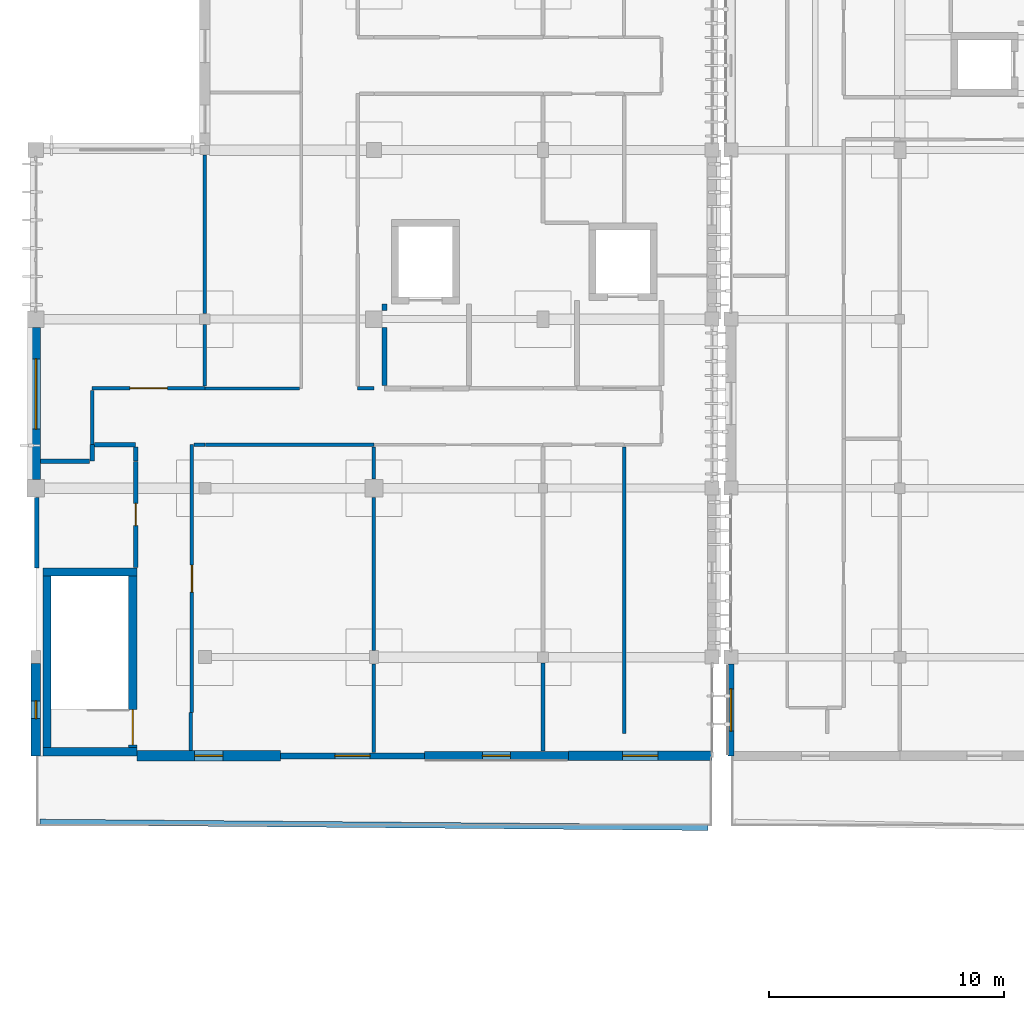
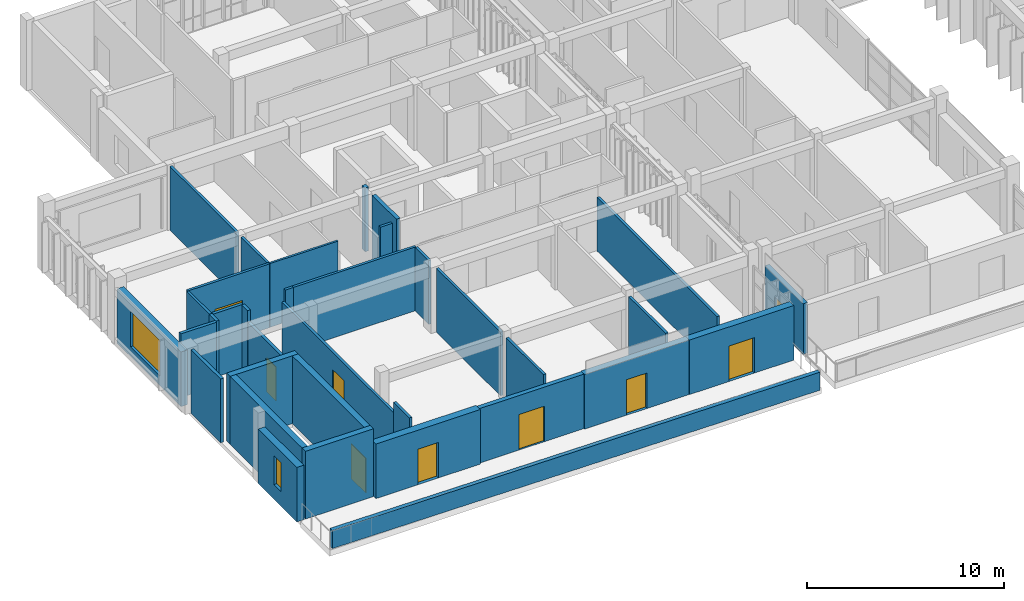
# One storey, part 32 of 55: 35 walls, 8 doors, 3 windows, 11 openings.
"""IFC4 building model written with IfcOpenShell, lengths in metres."""

from ifc_helpers import new_model, si_unit, direction, frame, frame_2d, origin, place, context, subcontext, project, spatial, rectangle, extrude, material, layer, layer_set, type_object, element, fill, save


model = new_model("IFC4")

# Units and contexts
model_context = context("Model", 3, precision=1e-05, world=origin(), true_north=direction((0.0, 1.0)))
body_context = subcontext(model_context, "Body", "Model", "MODEL_VIEW")
ifc_project = project(units=[si_unit("LENGTHUNIT", "METRE"), si_unit("AREAUNIT", "SQUARE_METRE"), si_unit("VOLUMEUNIT", "CUBIC_METRE"), si_unit("PLANEANGLEUNIT", "RADIAN"), si_unit("MASSUNIT", "GRAM", prefix="KILO")], contexts=[model_context])

# Site, building, storey
site_placement = place(None, origin())
site = spatial("IfcSite", under=ifc_project, at=site_placement, CompositionType="ELEMENT")
building_placement = place(site_placement, origin())
building = spatial("IfcBuilding", under=site, at=building_placement, Name="Steenspoor Specialist Clinic", CompositionType="ELEMENT")
storey_placement = place(building_placement, frame((0.0, 0.0, 13.199951171875)))
storey = spatial("IfcBuildingStorey", under=building, at=storey_placement, Name="L03", CompositionType="ELEMENT", Elevation=13.199951171875)

# Wall, opening, door
ifc_material_1 = material(Name="Extruded clay brick masonry", Category="masonry")
ifc_layer_1 = layer(ifc_material_1, 0.3798828125)
ifc_layer_set_1 = layer_set([ifc_layer_1], Name="Extruded clay brick masonry")
wall_type_1 = type_object("IfcWallType", Name="W-BRICK-380", PredefinedType="USERDEFINED", material=ifc_layer_set_1)
wall_1_placement = place(storey_placement, frame((45.47509765625, 68.14990234375, 0.0), z_axis=(0.0, 0.0, 1.0), x_axis=(-1.0, 0.0, 0.0)))
wall_1 = element("IfcWall", 1, at=wall_1_placement, inside=storey, type_object=wall_type_1, Name="Exterior Brick Wall EW-V5-L03-0279", ObjectType="CAVITY VENEER", PredefinedType="USERDEFINED", context=body_context, shape_type="SweptSolid", body=[
    extrude(rectangle(XDim=6.125, YDim=0.3798828125, at=frame_2d((3.0625, 0.0))), origin(), (0.0, 0.0, 1.0), 3.380126953125),
])
opening_1_placement = place(wall_1_placement, frame((2.46240234375, 0.0, 0.0)))
opening_1 = element("IfcOpeningElement", 2, at=opening_1_placement, cuts=wall_1, Name="Opening ED36", PredefinedType="OPENING", context=body_context, shape_type="SweptSolid", body=[
    extrude(rectangle(XDim=1.199951171875, YDim=2.199951171875, at=frame_2d((0.60009765625, 1.10009765625))), frame((0.0, 0.199951171875, 0.0), z_axis=(0.0, -1.0, 0.0), x_axis=(1.0, 0.0, 0.0)), (0.0, 0.0, 1.0), 0.39990234375),
])
ifc_material_2 = material(Name="Anodised aluminium and safety glass", Category="aluminium")
door_type_1 = type_object("IfcDoorType", Name="DT-TERR-120X220", OperationType="NOTDEFINED", PredefinedType="DOOR", material=ifc_material_2)
door_1_placement = place(opening_1_placement, origin())
door_1 = element("IfcDoor", 3, at=door_1_placement, inside=storey, type_object=door_type_1, Name="Roof Terrace Door ED36", OperationType="SINGLE_SWING_LEFT", OverallHeight=2.199951171875, OverallWidth=1.199951171875, PredefinedType="DOOR", context=body_context, shape_type="SweptSolid", body=[
    extrude(rectangle(XDim=1.199951171875, YDim=2.199951171875, at=frame_2d((0.60009765625, 1.10009765625))), frame((0.0, 0.02490234375, 0.0), z_axis=(0.0, -1.0, 0.0), x_axis=(1.0, 0.0, 0.0)), (0.0, 0.0, 1.0), 0.050048828125),
])
fill(opening_1, door_1)

# Wall, opening, window
wall_2_placement = place(storey_placement, frame((22.800048828125, 79.925048828125, 0.0), z_axis=(0.0, 0.0, 1.0), x_axis=(0.0, 1.0, 0.0)))
wall_2 = element("IfcWall", 4, at=wall_2_placement, inside=storey, type_object=wall_type_1, Name="Exterior Brick Wall EW-V5-L03-0283", ObjectType="CAVITY VENEER", PredefinedType="USERDEFINED", context=body_context, shape_type="SweptSolid", body=[
    extrude(rectangle(XDim=6.474853515625, YDim=0.3798828125, at=frame_2d((3.2373046875, 0.0))), origin(), (0.0, 0.0, 1.0), 3.380126953125),
])
opening_2_placement = place(wall_2_placement, frame((2.135009765625, 0.0, 0.60009765625)))
opening_2 = element("IfcOpeningElement", 5, at=opening_2_placement, cuts=wall_2, Name="Opening WN-19", PredefinedType="OPENING", context=body_context, shape_type="SweptSolid", body=[
    extrude(rectangle(XDim=3.0, YDim=2.199951171875, at=frame_2d((1.5, 1.10009765625))), frame((0.0, 0.199951171875, 0.0), z_axis=(0.0, -1.0, 0.0), x_axis=(1.0, 0.0, 0.0)), (0.0, 0.0, 1.0), 0.39990234375),
])
ifc_material_3 = material(Name="Thermally broken aluminium and low-emissivity glass", Category="aluminium")
window_type_1 = type_object("IfcWindowType", Name="WN-EXT-300X220", PartitioningType="SINGLE_PANEL", PredefinedType="WINDOW", material=ifc_material_3)
window_1_placement = place(opening_2_placement, origin())
window_1 = element("IfcWindow", 6, at=window_1_placement, inside=storey, type_object=window_type_1, Name="Window 0304", OverallHeight=2.199951171875, OverallWidth=3.0, PartitioningType="SINGLE_PANEL", PredefinedType="WINDOW", context=body_context, shape_type="SweptSolid", body=[
    extrude(rectangle(XDim=3.0, YDim=2.199951171875, at=frame_2d((1.5, 1.10009765625))), frame((0.0, 0.030029296875, 0.0), z_axis=(0.0, -1.0, 0.0), x_axis=(1.0, 0.0, 0.0)), (0.0, 0.0, 1.0), 0.06005859375),
])
fill(opening_2, window_1)

# Wall, opening, door
ifc_layer_2 = layer(ifc_material_1, 0.409912109375)
ifc_layer_set_2 = layer_set([ifc_layer_2], Name="Extruded clay brick masonry")
wall_type_2 = type_object("IfcWallType", Name="W-BRICK-410", PredefinedType="USERDEFINED", material=ifc_layer_set_2)
wall_3_placement = place(storey_placement, frame((51.60009765625, 68.14990234375, 0.0), z_axis=(0.0, 0.0, 1.0), x_axis=(-1.0, 0.0, 0.0)))
wall_3 = element("IfcWall", 7, at=wall_3_placement, inside=storey, type_object=wall_type_2, Name="Exterior Brick Wall EW-V5-L03-0278", ObjectType="CAVITY VENEER", PredefinedType="USERDEFINED", context=body_context, shape_type="SweptSolid", body=[
    extrude(rectangle(XDim=6.125, YDim=0.409912109375, at=frame_2d((3.0625, 0.0))), origin(), (0.0, 0.0, 1.0), 3.380126953125),
])
opening_3_placement = place(wall_3_placement, frame((2.3125, 0.0, 0.0)))
opening_3 = element("IfcOpeningElement", 8, at=opening_3_placement, cuts=wall_3, Name="Opening ED35", PredefinedType="OPENING", context=body_context, shape_type="SweptSolid", body=[
    extrude(rectangle(XDim=1.5, YDim=2.199951171875, at=frame_2d((0.75, 1.10009765625))), frame((0.0, 0.21484375, 0.0), z_axis=(0.0, -1.0, 0.0), x_axis=(1.0, 0.0, 0.0)), (0.0, 0.0, 1.0), 0.429931640625),
])
door_type_2 = type_object("IfcDoorType", Name="DT-TERR-150X220", OperationType="NOTDEFINED", PredefinedType="DOOR", material=ifc_material_2)
door_2_placement = place(opening_3_placement, origin())
door_2 = element("IfcDoor", 9, at=door_2_placement, inside=storey, type_object=door_type_2, Name="Roof Terrace Door ED35", OperationType="SINGLE_SWING_RIGHT", OverallHeight=2.199951171875, OverallWidth=1.5, PredefinedType="DOOR", context=body_context, shape_type="SweptSolid", body=[
    extrude(rectangle(XDim=1.5, YDim=2.199951171875, at=frame_2d((0.75, 1.10009765625))), frame((0.0, 0.02490234375, 0.0), z_axis=(0.0, -1.0, 0.0), x_axis=(1.0, 0.0, 0.0)), (0.0, 0.0, 1.0), 0.050048828125),
])
fill(opening_3, door_2)

# Wall, opening, window
wall_4_placement = place(storey_placement, frame((22.800048828125, 68.14990234375, 0.0), z_axis=(0.0, 0.0, 1.0), x_axis=(0.0, 1.0, 0.0)))
wall_4 = element("IfcWall", 10, at=wall_4_placement, inside=storey, type_object=wall_type_2, Name="Exterior Brick Wall EW-V5-L03-0282", ObjectType="CAVITY VENEER", PredefinedType="USERDEFINED", context=body_context, shape_type="SweptSolid", body=[
    extrude(rectangle(XDim=3.925048828125, YDim=0.409912109375, at=frame_2d((1.96240234375, 0.0))), origin(), (0.0, 0.0, 1.0), 3.380126953125),
])
opening_4_placement = place(wall_4_placement, frame((1.58740234375, 0.0, 0.89990234375)))
opening_4 = element("IfcOpeningElement", 11, at=opening_4_placement, cuts=wall_4, Name="Opening WN-02", PredefinedType="OPENING", context=body_context, shape_type="SweptSolid", body=[
    extrude(rectangle(XDim=0.75, YDim=1.800048828125, at=frame_2d((0.375, 0.89990234375))), frame((0.0, 0.21484375, 0.0), z_axis=(0.0, -1.0, 0.0), x_axis=(1.0, 0.0, 0.0)), (0.0, 0.0, 1.0), 0.429931640625),
])
window_type_2 = type_object("IfcWindowType", Name="WN-EXT-075X180", PartitioningType="SINGLE_PANEL", PredefinedType="WINDOW", material=ifc_material_3)
window_2_placement = place(opening_4_placement, origin())
window_2 = element("IfcWindow", 12, at=window_2_placement, inside=storey, type_object=window_type_2, Name="Window 0303", OverallHeight=1.800048828125, OverallWidth=0.75, PartitioningType="SINGLE_PANEL", PredefinedType="WINDOW", context=body_context, shape_type="SweptSolid", body=[
    extrude(rectangle(XDim=0.75, YDim=1.800048828125, at=frame_2d((0.375, 0.89990234375))), frame((0.0, 0.030029296875, 0.0), z_axis=(0.0, -1.0, 0.0), x_axis=(1.0, 0.0, 0.0)), (0.0, 0.0, 1.0), 0.06005859375),
])
fill(opening_4, window_2)

# Wall, opening, door
ifc_layer_3 = layer(ifc_material_1, 0.43994140625)
ifc_layer_set_3 = layer_set([ifc_layer_3], Name="Extruded clay brick masonry")
wall_type_3 = type_object("IfcWallType", Name="W-BRICK-440", PredefinedType="USERDEFINED", material=ifc_layer_set_3)
wall_5_placement = place(storey_placement, frame((33.22509765625, 68.14990234375, 0.0), z_axis=(0.0, 0.0, 1.0), x_axis=(-1.0, 0.0, 0.0)))
wall_5 = element("IfcWall", 13, at=wall_5_placement, inside=storey, type_object=wall_type_3, Name="Exterior Brick Wall EW-V5-L03-0281", ObjectType="CAVITY VENEER", PredefinedType="USERDEFINED", context=body_context, shape_type="SweptSolid", body=[
    extrude(rectangle(XDim=6.125, YDim=0.43994140625, at=frame_2d((3.0625, 0.0))), origin(), (0.0, 0.0, 1.0), 3.380126953125),
])
opening_5_placement = place(wall_5_placement, frame((2.46240234375, 0.0, 0.0)))
opening_5 = element("IfcOpeningElement", 14, at=opening_5_placement, cuts=wall_5, Name="Opening ED38", PredefinedType="OPENING", context=body_context, shape_type="SweptSolid", body=[
    extrude(rectangle(XDim=1.199951171875, YDim=2.199951171875, at=frame_2d((0.60009765625, 1.10009765625))), frame((0.0, 0.22998046875, 0.0), z_axis=(0.0, -1.0, 0.0), x_axis=(1.0, 0.0, 0.0)), (0.0, 0.0, 1.0), 0.4599609375),
])
door_3_placement = place(opening_5_placement, origin())
door_3 = element("IfcDoor", 15, at=door_3_placement, inside=storey, type_object=door_type_1, Name="Roof Terrace Door ED38", OperationType="SINGLE_SWING_LEFT", OverallHeight=2.199951171875, OverallWidth=1.199951171875, PredefinedType="DOOR", context=body_context, shape_type="SweptSolid", body=[
    extrude(rectangle(XDim=1.199951171875, YDim=2.199951171875, at=frame_2d((0.60009765625, 1.10009765625))), frame((0.0, 0.02490234375, 0.0), z_axis=(0.0, -1.0, 0.0), x_axis=(1.0, 0.0, 0.0)), (0.0, 0.0, 1.0), 0.050048828125),
])
fill(opening_5, door_3)

ifc_material_4 = material(Name="Gypsum acoustic clinical partition", Category="gypsum")
ifc_layer_4 = layer(ifc_material_4, 0.14990234375)
ifc_layer_set_4 = layer_set([ifc_layer_4], Name="Gypsum acoustic clinical partition")
wall_type_4 = type_object("IfcWallType", Name="W-CLIN-150", PredefinedType="PARTITIONING", material=ifc_layer_set_4)
wall_6_placement = place(storey_placement, frame((29.449951171875, 70.0, 0.0), z_axis=(0.0, 0.0, 1.0), x_axis=(0.0, 1.0, 0.0)))
wall_6 = element("IfcWall", 16, at=wall_6_placement, inside=storey, type_object=wall_type_4, Name="Interior Partition IW-V5-L03-1591", PredefinedType="PARTITIONING", context=body_context, shape_type="SweptSolid", body=[
    extrude(rectangle(XDim=11.39990234375, YDim=0.14990234375, at=frame_2d((5.699951171875, 0.0))), origin(), (0.0, 0.0, 1.0), 3.219970703125),
])
opening_6_placement = place(wall_6_placement, frame((5.125, 0.0, 0.0)))
opening_6 = element("IfcOpeningElement", 17, at=opening_6_placement, cuts=wall_6, Name="Opening D0387", PredefinedType="OPENING", context=body_context, shape_type="SweptSolid", body=[
    extrude(rectangle(XDim=1.14990234375, YDim=2.14990234375, at=frame_2d((0.574951171875, 1.074951171875))), frame((0.0, 0.0849609375, 0.0), z_axis=(0.0, -1.0, 0.0), x_axis=(1.0, 0.0, 0.0)), (0.0, 0.0, 1.0), 0.169921875),
])
ifc_material_5 = material(Name="Solid-core hardwood clinical door", Category="wood")
door_type_3 = type_object("IfcDoorType", Name="DT-CONS-115X215", OperationType="NOTDEFINED", PredefinedType="DOOR", material=ifc_material_5)
door_4_placement = place(opening_6_placement, origin())
door_4 = element("IfcDoor", 18, at=door_4_placement, inside=storey, type_object=door_type_3, Name="Clinical Door D0387", OperationType="SINGLE_SWING_RIGHT", OverallHeight=2.14990234375, OverallWidth=1.14990234375, PredefinedType="DOOR", context=body_context, shape_type="SweptSolid", body=[
    extrude(rectangle(XDim=1.14990234375, YDim=2.14990234375, at=frame_2d((0.574951171875, 1.074951171875))), frame((0.0, 0.02490234375, 0.0), z_axis=(0.0, -1.0, 0.0), x_axis=(1.0, 0.0, 0.0)), (0.0, 0.0, 1.0), 0.050048828125),
])
fill(opening_6, door_4)

# Walls
wall_7_placement = place(storey_placement, frame((29.5400390625, 81.39990234375, 0.0), z_axis=(0.0, 0.0, 1.0), x_axis=(1.0, 0.0, 0.0)))
element("IfcWall", 19, at=wall_7_placement, inside=storey, type_object=wall_type_4, Name="Interior Partition IW-V5-L03-1592", PredefinedType="PARTITIONING", context=body_context, shape_type="SweptSolid", body=[
    extrude(rectangle(XDim=0.4599609375, YDim=0.14990234375, at=frame_2d((0.22998046875, 0.0))), origin(), (0.0, 0.0, 1.0), 3.949951171875),
])
wall_8_placement = place(storey_placement, frame((30.014892578125, 81.39990234375, 0.0), z_axis=(0.0, 0.0, 1.0), x_axis=(1.0, 0.0, 0.0)))
element("IfcWall", 20, at=wall_8_placement, inside=storey, type_object=wall_type_4, Name="Interior Partition IW-V5-L03-1593", PredefinedType="PARTITIONING", context=body_context, shape_type="SweptSolid", body=[
    extrude(rectangle(XDim=7.18505859375, YDim=0.14990234375, at=frame_2d((3.592529296875, 0.0))), origin(), (0.0, 0.0, 1.0), 3.949951171875),
])
wall_9_placement = place(storey_placement, frame((29.39990234375, 68.385009765625, 0.0), z_axis=(0.0, 0.0, 1.0), x_axis=(0.0, 1.0, 0.0)))
element("IfcWall", 21, at=wall_9_placement, inside=storey, type_object=wall_type_4, Name="Interior Partition IW-V5-L03-1594", PredefinedType="PARTITIONING", context=body_context, shape_type="SweptSolid", body=[
    extrude(rectangle(XDim=1.60009765625, YDim=0.14990234375, at=frame_2d((0.800048828125, 0.0))), origin(), (0.0, 0.0, 1.0), 3.949951171875),
])

# Wall, opening, door
wall_10_placement = place(storey_placement, frame((25.199951171875, 83.800048828125, 0.0), z_axis=(0.0, 0.0, 1.0), x_axis=(1.0, 0.0, 0.0)))
wall_10 = element("IfcWall", 22, at=wall_10_placement, inside=storey, type_object=wall_type_4, Name="Interior Partition IW-V5-L03-1596", PredefinedType="PARTITIONING", context=body_context, shape_type="SweptSolid", body=[
    extrude(rectangle(XDim=4.800048828125, YDim=0.14990234375, at=frame_2d((2.39990234375, 0.0))), origin(), (0.0, 0.0, 1.0), 3.949951171875),
])
opening_7_placement = place(wall_10_placement, frame((1.60009765625, 0.0, 0.0)))
opening_7 = element("IfcOpeningElement", 23, at=opening_7_placement, cuts=wall_10, Name="Opening D0391", PredefinedType="OPENING", context=body_context, shape_type="SweptSolid", body=[
    extrude(rectangle(XDim=1.60009765625, YDim=2.25, at=frame_2d((0.800048828125, 1.125))), frame((0.0, 0.0849609375, 0.0), z_axis=(0.0, -1.0, 0.0), x_axis=(1.0, 0.0, 0.0)), (0.0, 0.0, 1.0), 0.169921875),
])
ifc_material_6 = material(Name="Hygienic HPL clinical timber door", Category="wood")
door_type_4 = type_object("IfcDoorType", Name="DT-PROC-160X225", OperationType="NOTDEFINED", PredefinedType="DOOR", material=ifc_material_6)
door_5_placement = place(opening_7_placement, origin())
door_5 = element("IfcDoor", 24, at=door_5_placement, inside=storey, type_object=door_type_4, Name="Clinical Door D0391", OperationType="SINGLE_SWING_RIGHT", OverallHeight=2.25, OverallWidth=1.60009765625, PredefinedType="DOOR", context=body_context, shape_type="SweptSolid", body=[
    extrude(rectangle(XDim=1.60009765625, YDim=2.25, at=frame_2d((0.800048828125, 1.125))), frame((0.0, 0.02490234375, 0.0), z_axis=(0.0, -1.0, 0.0), x_axis=(1.0, 0.0, 0.0)), (0.0, 0.0, 1.0), 0.050048828125),
])
fill(opening_7, door_5)

# Walls
wall_11_placement = place(storey_placement, frame((25.199951171875, 81.4150390625, 0.0), z_axis=(0.0, 0.0, 1.0), x_axis=(0.0, 1.0, 0.0)))
element("IfcWall", 25, at=wall_11_placement, inside=storey, type_object=wall_type_4, Name="Interior Partition IW-V5-L03-1597", PredefinedType="PARTITIONING", context=body_context, shape_type="SweptSolid", body=[
    extrude(rectangle(XDim=2.294921875, YDim=0.14990234375, at=frame_2d((1.1474609375, 0.0))), origin(), (0.0, 0.0, 1.0), 3.949951171875),
])
wall_12_placement = place(storey_placement, frame((36.5, 83.800048828125, 0.0), z_axis=(0.0, 0.0, 1.0), x_axis=(1.0, 0.0, 0.0)))
element("IfcWall", 26, at=wall_12_placement, inside=storey, type_object=wall_type_4, Name="Interior Partition IW-V5-L03-1599", PredefinedType="PARTITIONING", context=body_context, shape_type="SweptSolid", body=[
    extrude(rectangle(XDim=0.699951171875, YDim=0.14990234375, at=frame_2d((0.35009765625, 0.0))), origin(), (0.0, 0.0, 1.0), 3.949951171875),
])
wall_13_placement = place(storey_placement, frame((37.199951171875, 68.294921875, 0.0), z_axis=(0.0, 0.0, 1.0), x_axis=(0.0, 1.0, 0.0)))
element("IfcWall", 27, at=wall_13_placement, inside=storey, type_object=wall_type_4, Name="Interior Partition IW-V5-L03-1739", PredefinedType="PARTITIONING", context=body_context, shape_type="SweptSolid", body=[
    extrude(rectangle(XDim=3.76513671875, YDim=0.14990234375, at=frame_2d((1.882568359375, 0.0))), origin(), (0.0, 0.0, 1.0), 3.949951171875),
])
wall_14_placement = place(storey_placement, frame((37.199951171875, 72.639892578125, 0.0), z_axis=(0.0, 0.0, 1.0), x_axis=(0.0, 1.0, 0.0)))
element("IfcWall", 28, at=wall_14_placement, inside=storey, type_object=wall_type_4, Name="Interior Partition IW-V5-L03-1740", PredefinedType="PARTITIONING", context=body_context, shape_type="SweptSolid", body=[
    extrude(rectangle(XDim=6.52001953125, YDim=0.14990234375, at=frame_2d((3.260009765625, 0.0))), origin(), (0.0, 0.0, 1.0), 3.949951171875),
])
wall_15_placement = place(storey_placement, frame((37.199951171875, 79.93994140625, 0.0), z_axis=(0.0, 0.0, 1.0), x_axis=(0.0, 1.0, 0.0)))
element("IfcWall", 29, at=wall_15_placement, inside=storey, type_object=wall_type_4, Name="Interior Partition IW-V5-L03-1741", PredefinedType="PARTITIONING", context=body_context, shape_type="SweptSolid", body=[
    extrude(rectangle(XDim=1.3701171875, YDim=0.14990234375, at=frame_2d((0.68505859375, 0.0))), origin(), (0.0, 0.0, 1.0), 3.949951171875),
])
wall_16_placement = place(storey_placement, frame((44.39990234375, 68.35498046875, 0.0), z_axis=(0.0, 0.0, 1.0), x_axis=(0.0, 1.0, 0.0)))
element("IfcWall", 30, at=wall_16_placement, inside=storey, type_object=wall_type_4, Name="Interior Partition IW-V5-L03-1742", PredefinedType="PARTITIONING", context=body_context, shape_type="SweptSolid", body=[
    extrude(rectangle(XDim=3.755126953125, YDim=0.14990234375, at=frame_2d((1.87744140625, 0.0))), origin(), (0.0, 0.0, 1.0), 3.949951171875),
])
wall_17_placement = place(storey_placement, frame((47.85009765625, 69.110107421875, 0.0), z_axis=(0.0, 0.0, 1.0), x_axis=(0.0, 1.0, 0.0)))
element("IfcWall", 31, at=wall_17_placement, inside=storey, type_object=wall_type_4, Name="Interior Partition IW-V5-L03-1745", PredefinedType="PARTITIONING", context=body_context, shape_type="SweptSolid", body=[
    extrude(rectangle(XDim=12.199951171875, YDim=0.14990234375, at=frame_2d((6.10009765625, 0.0))), origin(), (0.0, 0.0, 1.0), 3.320068359375),
])
wall_18_placement = place(storey_placement, frame((30.0, 83.889892578125, 0.0), z_axis=(0.0, 0.0, 1.0), x_axis=(0.0, 1.0, 0.0)))
element("IfcWall", 32, at=wall_18_placement, inside=storey, type_object=wall_type_4, Name="Interior Partition IW-V5-L03-1746", PredefinedType="PARTITIONING", context=body_context, shape_type="SweptSolid", body=[
    extrude(rectangle(XDim=2.6201171875, YDim=0.14990234375, at=frame_2d((1.31005859375, 0.0))), origin(), (0.0, 0.0, 1.0), 3.949951171875),
])
wall_19_placement = place(storey_placement, frame((30.0, 86.989990234375, 0.0), z_axis=(0.0, 0.0, 1.0), x_axis=(0.0, 1.0, 0.0)))
element("IfcWall", 33, at=wall_19_placement, inside=storey, type_object=wall_type_4, Name="Interior Partition IW-V5-L03-1747", PredefinedType="PARTITIONING", context=body_context, shape_type="SweptSolid", body=[
    extrude(rectangle(XDim=6.7451171875, YDim=0.14990234375, at=frame_2d((3.37255859375, 0.0))), origin(), (0.0, 0.0, 1.0), 3.949951171875),
])
ifc_material_7 = material(Name="Fire-rated clay blockwork masonry", Category="masonry")
ifc_layer_5 = layer(ifc_material_7, 0.219970703125)
ifc_layer_set_5 = layer_set([ifc_layer_5], Name="Fire-rated clay blockwork masonry")
wall_type_5 = type_object("IfcWallType", Name="W-FIRE-220", PredefinedType="PARTITIONING", material=ifc_layer_set_5)
wall_20_placement = place(storey_placement, frame((37.64990234375, 83.925048828125, 0.0), z_axis=(0.0, 0.0, 1.0), x_axis=(0.0, 1.0, 0.0)))
element("IfcWall", 34, at=wall_20_placement, inside=storey, type_object=wall_type_5, Name="Interior Partition IW-V5-L03-1526", PredefinedType="PARTITIONING", context=body_context, shape_type="SweptSolid", body=[
    extrude(rectangle(XDim=2.4599609375, YDim=0.219970703125, at=frame_2d((1.22998046875, 0.0))), origin(), (0.0, 0.0, 1.0), 3.949951171875),
])
wall_21_placement = place(storey_placement, frame((37.64990234375, 87.114990234375, 0.0), z_axis=(0.0, 0.0, 1.0), x_axis=(0.0, 1.0, 0.0)))
element("IfcWall", 35, at=wall_21_placement, inside=storey, type_object=wall_type_5, Name="Interior Partition IW-V5-L03-1527", PredefinedType="PARTITIONING", context=body_context, shape_type="SweptSolid", body=[
    extrude(rectangle(XDim=0.284912109375, YDim=0.219970703125, at=frame_2d((0.142578125, 0.0))), origin(), (0.0, 0.0, 1.0), 3.949951171875),
])
ifc_layer_6 = layer(ifc_material_1, 0.239990234375)
ifc_layer_set_6 = layer_set([ifc_layer_6], Name="Extruded clay brick masonry")
wall_type_6 = type_object("IfcWallType", Name="W-PARAPET-240", PredefinedType="PARAPET", material=ifc_layer_set_6)
wall_22_placement = place(storey_placement, frame((22.97998046875, 65.330078125, 0.0), z_axis=(0.0, 0.0, 1.0), x_axis=(0.999964397823, -0.008438192146, 0.0)))
element("IfcWall", 36, at=wall_22_placement, inside=storey, type_object=wall_type_6, Name="Terrace Brick Parapet V5 L03 1", PredefinedType="PARAPET", context=body_context, shape_type="SweptSolid", body=[
    extrude(rectangle(XDim=28.44091796875, YDim=0.239990234375, at=frame_2d((14.220458984375, 0.0))), origin(), (0.0, 0.0, 1.0), 1.1201171875),
])
ifc_material_8 = material(Name="Gypsum studio partition board", Category="gypsum")
ifc_layer_7 = layer(ifc_material_8, 0.1201171875)
ifc_layer_set_7 = layer_set([ifc_layer_7], Name="Gypsum studio partition board")
wall_type_7 = type_object("IfcWallType", Name="W-PART-120", PredefinedType="PARTITIONING", material=ifc_layer_set_7)
wall_23_placement = place(storey_placement, frame((30.014892578125, 83.800048828125, 0.0), z_axis=(0.0, 0.0, 1.0), x_axis=(1.0, 0.0, 0.0)))
element("IfcWall", 37, at=wall_23_placement, inside=storey, type_object=wall_type_7, Name="Interior Partition IW-V5-L03-1674", PredefinedType="PARTITIONING", context=body_context, shape_type="SweptSolid", body=[
    extrude(rectangle(XDim=4.010009765625, YDim=0.1201171875, at=frame_2d((2.0048828125, 0.0))), origin(), (0.0, 0.0, 1.0), 3.949951171875),
])
ifc_material_9 = material(Name="Moisture-resistant gypsum plumbing wall", Category="gypsum")
ifc_layer_8 = layer(ifc_material_9, 0.179931640625)
ifc_layer_set_8 = layer_set([ifc_layer_8], Name="Moisture-resistant gypsum plumbing wall")
wall_type_8 = type_object("IfcWallType", Name="W-PLUMB-180", PredefinedType="PLUMBINGWALL", material=ifc_layer_set_8)
wall_24_placement = place(storey_placement, frame((25.199951171875, 80.699951171875, 0.0), z_axis=(0.0, 0.0, 1.0), x_axis=(0.0, 1.0, 0.0)))
element("IfcWall", 38, at=wall_24_placement, inside=storey, type_object=wall_type_8, Name="Interior Partition IW-V5-L03-1553", PredefinedType="PLUMBINGWALL", context=body_context, shape_type="SweptSolid", body=[
    extrude(rectangle(XDim=0.699951171875, YDim=0.179931640625, at=frame_2d((0.35009765625, 0.0))), origin(), (0.0, 0.0, 1.0), 3.949951171875),
])
wall_25_placement = place(storey_placement, frame((25.304931640625, 81.39990234375, 0.0), z_axis=(0.0, 0.0, 1.0), x_axis=(1.0, 0.0, 0.0)))
element("IfcWall", 39, at=wall_25_placement, inside=storey, type_object=wall_type_8, Name="Interior Partition IW-V5-L03-1554", PredefinedType="PLUMBINGWALL", context=body_context, shape_type="SweptSolid", body=[
    extrude(rectangle(XDim=1.7451171875, YDim=0.179931640625, at=frame_2d((0.87255859375, 0.0))), origin(), (0.0, 0.0, 1.0), 3.949951171875),
])
wall_26_placement = place(storey_placement, frame((27.050048828125, 80.699951171875, 0.0), z_axis=(0.0, 0.0, 1.0), x_axis=(0.0, 1.0, 0.0)))
element("IfcWall", 40, at=wall_26_placement, inside=storey, type_object=wall_type_8, Name="Interior Partition IW-V5-L03-1555", PredefinedType="PLUMBINGWALL", context=body_context, shape_type="SweptSolid", body=[
    extrude(rectangle(XDim=0.594970703125, YDim=0.179931640625, at=frame_2d((0.29736328125, 0.0))), origin(), (0.0, 0.0, 1.0), 3.949951171875),
])

# Wall, opening, door
wall_27_placement = place(storey_placement, frame((27.050048828125, 76.1650390625, 0.0), z_axis=(0.0, 0.0, 1.0), x_axis=(0.0, 1.0, 0.0)))
wall_27 = element("IfcWall", 41, at=wall_27_placement, inside=storey, type_object=wall_type_8, Name="Interior Partition IW-V5-L03-1556", PredefinedType="PLUMBINGWALL", context=body_context, shape_type="SweptSolid", body=[
    extrude(rectangle(XDim=4.52001953125, YDim=0.179931640625, at=frame_2d((2.260009765625, 0.0))), origin(), (0.0, 0.0, 1.0), 3.219970703125),
])
opening_8_placement = place(wall_27_placement, frame((1.784912109375, 0.0, 0.0)))
opening_8 = element("IfcOpeningElement", 42, at=opening_8_placement, cuts=wall_27, Name="Opening D0386", PredefinedType="OPENING", context=body_context, shape_type="SweptSolid", body=[
    extrude(rectangle(XDim=0.949951171875, YDim=2.10009765625, at=frame_2d((0.47509765625, 1.050048828125))), frame((0.0, 0.10009765625, 0.0), z_axis=(0.0, -1.0, 0.0), x_axis=(1.0, 0.0, 0.0)), (0.0, 0.0, 1.0), 0.199951171875),
])
ifc_material_10 = material(Name="Moisture-resistant HPL sanitary door", Category="wood")
door_type_5 = type_object("IfcDoorType", Name="DT-WC-095X210", OperationType="NOTDEFINED", PredefinedType="DOOR", material=ifc_material_10)
door_6_placement = place(opening_8_placement, origin())
door_6 = element("IfcDoor", 43, at=door_6_placement, inside=storey, type_object=door_type_5, Name="Clinical Door D0386", OperationType="SINGLE_SWING_LEFT", OverallHeight=2.10009765625, OverallWidth=0.949951171875, PredefinedType="DOOR", context=body_context, shape_type="SweptSolid", body=[
    extrude(rectangle(XDim=0.949951171875, YDim=2.10009765625, at=frame_2d((0.47509765625, 1.050048828125))), frame((0.0, 0.02490234375, 0.0), z_axis=(0.0, -1.0, 0.0), x_axis=(1.0, 0.0, 0.0)), (0.0, 0.0, 1.0), 0.050048828125),
])
fill(opening_8, door_6)

# Walls
wall_28_placement = place(storey_placement, frame((22.840087890625, 76.14990234375, 0.0), z_axis=(0.0, 0.0, 1.0), x_axis=(0.0, 1.0, 0.0)))
element("IfcWall", 44, at=wall_28_placement, inside=storey, type_object=wall_type_8, Name="Interior Partition IW-V5-L03-1714", PredefinedType="PLUMBINGWALL", context=body_context, shape_type="SweptSolid", body=[
    extrude(rectangle(XDim=3.010009765625, YDim=0.179931640625, at=frame_2d((1.5048828125, 0.0))), origin(), (0.0, 0.0, 1.0), 3.949951171875),
])
wall_29_placement = place(storey_placement, frame((23.0048828125, 80.699951171875, 0.0), z_axis=(0.0, 0.0, 1.0), x_axis=(1.0, 0.0, 0.0)))
element("IfcWall", 45, at=wall_29_placement, inside=storey, type_object=wall_type_8, Name="Interior Partition IW-V5-L03-1715", PredefinedType="PLUMBINGWALL", context=body_context, shape_type="SweptSolid", body=[
    extrude(rectangle(XDim=2.090087890625, YDim=0.179931640625, at=frame_2d((1.044921875, 0.0))), origin(), (0.0, 0.0, 1.0), 3.949951171875),
])

# Wall, opening, window
ifc_layer_9 = layer(ifc_material_1, 0.260009765625)
ifc_layer_set_9 = layer_set([ifc_layer_9], Name="Extruded clay brick masonry")
wall_type_9 = type_object("IfcWallType", Name="W-SCREEN-260", PredefinedType="SOLIDWALL", material=ifc_layer_set_9)
wall_30_placement = place(storey_placement, frame((52.39990234375, 68.14990234375, 0.0), z_axis=(0.0, 0.0, 1.0), x_axis=(0.0, 1.0, 0.0)))
wall_30 = element("IfcWall", 46, at=wall_30_placement, inside=storey, type_object=wall_type_9, Name="Exterior Brick Wall EW-V4-L03-0192", PredefinedType="SOLIDWALL", context=body_context, shape_type="SweptSolid", body=[
    extrude(rectangle(XDim=3.900146484375, YDim=0.260009765625, at=frame_2d((1.9501953125, 0.0))), origin(), (0.0, 0.0, 1.0), 3.130126953125),
])
opening_9_placement = place(wall_30_placement, frame((1.050048828125, 0.0, 0.89990234375)))
opening_9 = element("IfcOpeningElement", 47, at=opening_9_placement, cuts=wall_30, Name="Opening WN-22", PredefinedType="OPENING", context=body_context, shape_type="SweptSolid", body=[
    extrude(rectangle(XDim=1.800048828125, YDim=0.89990234375, at=frame_2d((0.89990234375, 0.449951171875))), frame((0.0, 0.14013671875, 0.0), z_axis=(0.0, -1.0, 0.0), x_axis=(1.0, 0.0, 0.0)), (0.0, 0.0, 1.0), 0.280029296875),
])
window_type_3 = type_object("IfcWindowType", Name="WN-EXT-180X090", PartitioningType="SINGLE_PANEL", PredefinedType="WINDOW", material=ifc_material_3)
window_3_placement = place(opening_9_placement, origin())
window_3 = element("IfcWindow", 48, at=window_3_placement, inside=storey, type_object=window_type_3, Name="Window 0220", OverallHeight=0.89990234375, OverallWidth=1.800048828125, PartitioningType="SINGLE_PANEL", PredefinedType="WINDOW", context=body_context, shape_type="SweptSolid", body=[
    extrude(rectangle(XDim=1.800048828125, YDim=0.89990234375, at=frame_2d((0.89990234375, 0.449951171875))), frame((0.0, 0.030029296875, 0.0), z_axis=(0.0, -1.0, 0.0), x_axis=(1.0, 0.0, 0.0)), (0.0, 0.0, 1.0), 0.06005859375),
])
fill(opening_9, window_3)

# Wall, opening, door
wall_31_placement = place(storey_placement, frame((39.35009765625, 68.14990234375, 0.0), z_axis=(0.0, 0.0, 1.0), x_axis=(-1.0, 0.0, 0.0)))
wall_31 = element("IfcWall", 49, at=wall_31_placement, inside=storey, type_object=wall_type_9, Name="Exterior Brick Wall EW-V5-L03-0280", PredefinedType="SOLIDWALL", context=body_context, shape_type="SweptSolid", body=[
    extrude(rectangle(XDim=6.125, YDim=0.260009765625, at=frame_2d((3.0625, 0.0))), origin(), (0.0, 0.0, 1.0), 3.380126953125),
])
opening_10_placement = place(wall_31_placement, frame((2.3125, 0.0, 0.0)))
opening_10 = element("IfcOpeningElement", 50, at=opening_10_placement, cuts=wall_31, Name="Opening ED37", PredefinedType="OPENING", context=body_context, shape_type="SweptSolid", body=[
    extrude(rectangle(XDim=1.5, YDim=2.199951171875, at=frame_2d((0.75, 1.10009765625))), frame((0.0, 0.14013671875, 0.0), z_axis=(0.0, -1.0, 0.0), x_axis=(1.0, 0.0, 0.0)), (0.0, 0.0, 1.0), 0.280029296875),
])
door_7_placement = place(opening_10_placement, origin())
door_7 = element("IfcDoor", 51, at=door_7_placement, inside=storey, type_object=door_type_2, Name="Roof Terrace Door ED37", OperationType="SINGLE_SWING_RIGHT", OverallHeight=2.199951171875, OverallWidth=1.5, PredefinedType="DOOR", context=body_context, shape_type="SweptSolid", body=[
    extrude(rectangle(XDim=1.5, YDim=2.199951171875, at=frame_2d((0.75, 1.10009765625))), frame((0.0, 0.02490234375, 0.0), z_axis=(0.0, -1.0, 0.0), x_axis=(1.0, 0.0, 0.0)), (0.0, 0.0, 1.0), 0.050048828125),
])
fill(opening_10, door_7)

# Walls
ifc_material_11 = material(Name="Concrete C40/50", Category="concrete")
ifc_layer_10 = layer(ifc_material_11, 0.35009765625)
ifc_layer_set_10 = layer_set([ifc_layer_10], Name="Concrete C40/50")
wall_type_10 = type_object("IfcWallType", Name="W-SW-350", PredefinedType="SHEAR", material=ifc_layer_set_10)
for number, where, z_axis, x_axis, name in (
    (52, (23.10009765625, 68.324951171875, 0.0), (0.0, 0.0, 1.0), (1.0, 0.0, 0.0), "Core Shear Wall SW-ST-V5B-L03-S"),
    (53, (23.10009765625, 75.97509765625, 0.0), (0.0, 0.0, 1.0), (1.0, 0.0, 0.0), "Core Shear Wall SW-ST-V5B-L03-N"),
):
    element("IfcWall", number, at=place(storey_placement, frame(where, z_axis=z_axis, x_axis=x_axis)), inside=storey, type_object=wall_type_10, Name=name, PredefinedType="SHEAR", context=body_context, shape_type="SweptSolid", body=[
        extrude(rectangle(XDim=4.0, YDim=0.35009765625, at=frame_2d((2.0, 0.0))), origin(), (0.0, 0.0, 1.0), 4.199951171875),
    ])
wall_32_placement = place(storey_placement, frame((23.27490234375, 68.5, 0.0), z_axis=(0.0, 0.0, 1.0), x_axis=(0.0, 1.0, 0.0)))
element("IfcWall", 54, at=wall_32_placement, inside=storey, type_object=wall_type_10, Name="Core Shear Wall SW-ST-V5B-L03-W", PredefinedType="SHEAR", context=body_context, shape_type="SweptSolid", body=[
    extrude(rectangle(XDim=7.300048828125, YDim=0.35009765625, at=frame_2d((3.64990234375, 0.0))), origin(), (0.0, 0.0, 1.0), 4.199951171875),
])

# Wall, opening, door
wall_33_placement = place(storey_placement, frame((26.925048828125, 68.5, 0.0), z_axis=(0.0, 0.0, 1.0), x_axis=(0.0, 1.0, 0.0)))
wall_33 = element("IfcWall", 55, at=wall_33_placement, inside=storey, type_object=wall_type_10, Name="Core Shear Wall SW-ST-V5B-L03-E", PredefinedType="SHEAR", context=body_context, shape_type="SweptSolid", body=[
    extrude(rectangle(XDim=7.300048828125, YDim=0.35009765625, at=frame_2d((3.64990234375, 0.0))), origin(), (0.0, 0.0, 1.0), 4.199951171875),
])
opening_11_placement = place(wall_33_placement, frame((0.1201171875, 0.0, 0.0)))
opening_11 = element("IfcOpeningElement", 56, at=opening_11_placement, cuts=wall_33, Name="Opening SD034", PredefinedType="OPENING", context=body_context, shape_type="SweptSolid", body=[
    extrude(rectangle(XDim=1.5, YDim=2.14990234375, at=frame_2d((0.75, 1.074951171875))), frame((0.0, 0.18505859375, 0.0), z_axis=(0.0, -1.0, 0.0), x_axis=(1.0, 0.0, 0.0)), (0.0, 0.0, 1.0), 0.3701171875),
])
ifc_material_12 = material(Name="Fire-rated steel acoustic door", Category="steel")
door_type_6 = type_object("IfcDoorType", Name="DT-STAIR-150X215", OperationType="NOTDEFINED", PredefinedType="DOOR", material=ifc_material_12)
door_8_placement = place(opening_11_placement, origin())
door_8 = element("IfcDoor", 57, at=door_8_placement, inside=storey, type_object=door_type_6, Name="Exit Stair Fire Door SD034", OperationType="SINGLE_SWING_LEFT", OverallHeight=2.14990234375, OverallWidth=1.5, PredefinedType="DOOR", context=body_context, shape_type="SweptSolid", body=[
    extrude(rectangle(XDim=1.5, YDim=2.14990234375, at=frame_2d((0.75, 1.074951171875))), frame((0.0, 0.02490234375, 0.0), z_axis=(0.0, -1.0, 0.0), x_axis=(1.0, 0.0, 0.0)), (0.0, 0.0, 1.0), 0.050048828125),
])
fill(opening_11, door_8)

save(model, "model.ifc")
